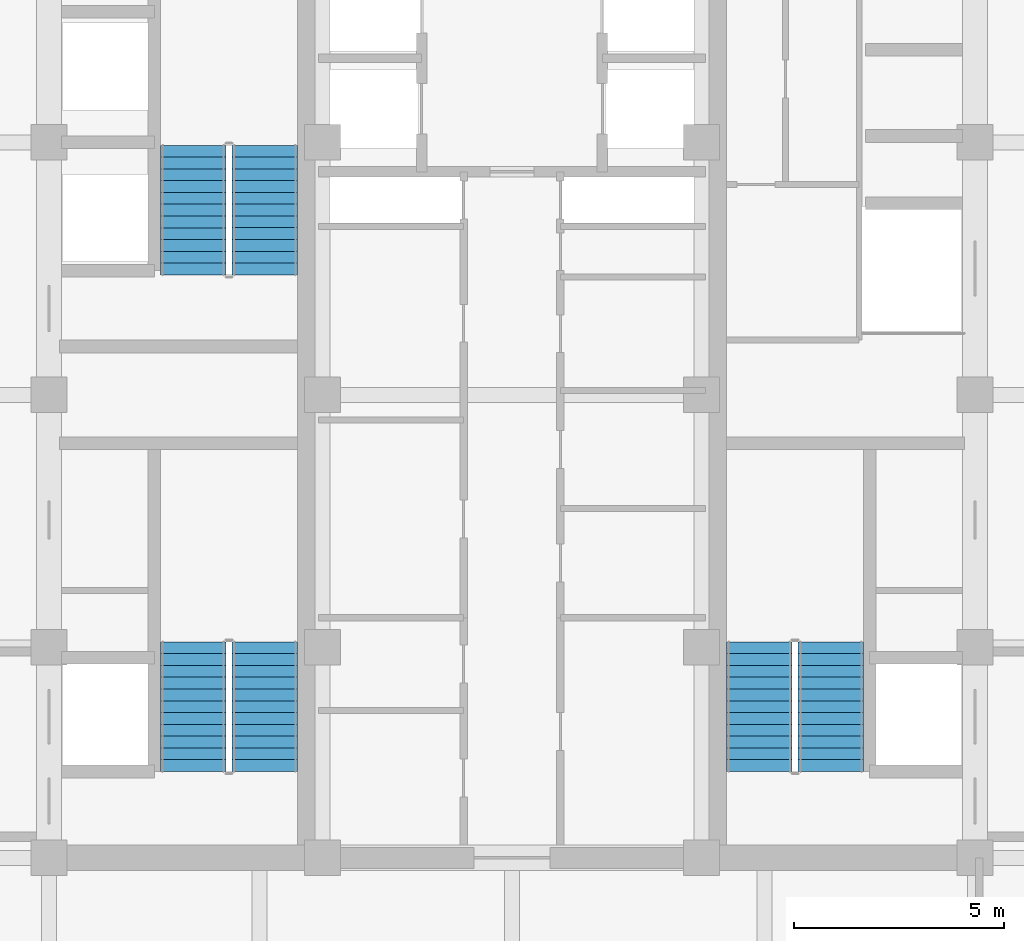
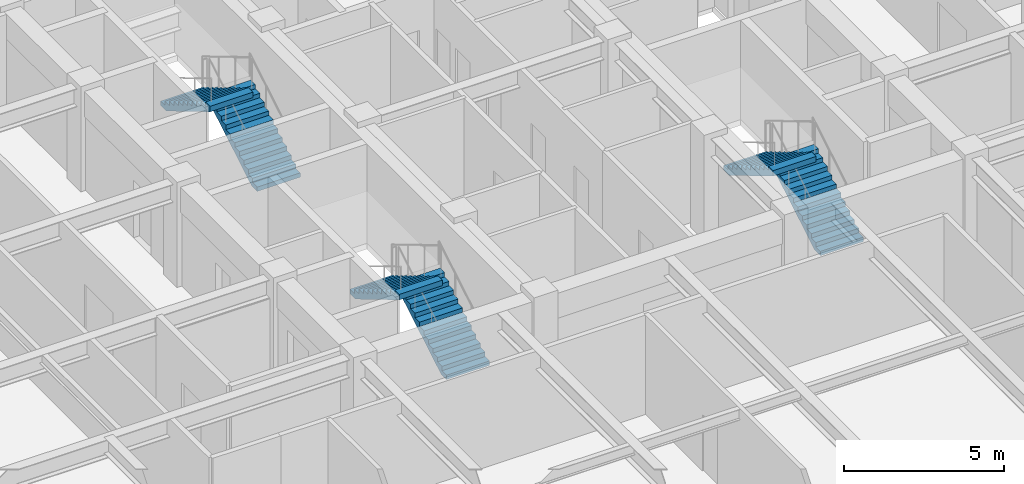
# One storey, part 24 of 25: 6 stair flights, 3 elements without a shape of their own.
"""IFC4 building model written with IfcOpenShell, lengths in metres."""

from ifc_helpers import new_model, si_unit, direction, frame, origin, place, context, subcontext, project, spatial, polyline, outline, extrude, source, transform, mapped, material, type_object, element, aggregate, save


model = new_model("IFC4")

# Units and contexts
model_context = context("Model", 3, precision=1e-05, world=origin(), true_north=direction((0.0, 1.0)))
body_context = subcontext(model_context, "Body", "Model", "MODEL_VIEW")
ifc_project = project(units=[si_unit("LENGTHUNIT", "METRE"), si_unit("AREAUNIT", "SQUARE_METRE"), si_unit("VOLUMEUNIT", "CUBIC_METRE"), si_unit("PLANEANGLEUNIT", "RADIAN"), si_unit("MASSUNIT", "GRAM", prefix="KILO")], contexts=[model_context])

# Site, building, storey
site_placement = place(None, origin())
site = spatial("IfcSite", under=ifc_project, at=site_placement, CompositionType="ELEMENT")
building_placement = place(site_placement, origin())
building = spatial("IfcBuilding", under=site, at=building_placement, Name="Khorayat Bourse Tower", CompositionType="ELEMENT")
storey_placement = place(building_placement, frame((0.0, 0.0, 251.10009765625)))
storey = spatial("IfcBuildingStorey", under=building, at=storey_placement, Name="L59", CompositionType="ELEMENT", Elevation=251.10009765625)

# Stair, stair flights
ifc_material = material(Name="Concrete C40/50", Category="concrete")
stair_type = type_object("IfcStairType", Name="STR-CORE-1550", PredefinedType="HALF_TURN_STAIR", material=ifc_material)
stair_1_placement = place(storey_placement, origin())
stair_1 = element("IfcStair", 1, at=stair_1_placement, inside=storey, type_object=stair_type, Name="L59 Exit Stair ST-1", PredefinedType="HALF_TURN_STAIR")
stair_flight_type = type_object("IfcStairFlightType", Name="FLT-CORE-1550", PredefinedType="STRAIGHT", material=ifc_material)
shared_shape = source(origin(), body_context, "Body", "SweptSolid", [
    extrude(outline(polyline([(0.0, 0.0), (0.0, 0.166748046875), (0.280029296875, 0.166748046875), (0.280029296875, 0.333251953125), (0.56005859375, 0.333251953125), (0.56005859375, 0.5), (0.840087890625, 0.5), (0.840087890625, 0.666748046875), (1.1201171875, 0.666748046875), (1.1201171875, 0.833251953125), (1.39990234375, 0.833251953125), (1.39990234375, 1.0), (1.679931640625, 1.0), (1.679931640625, 1.166748046875), (1.9599609375, 1.166748046875), (1.9599609375, 1.333251953125), (2.239990234375, 1.333251953125), (2.239990234375, 1.5), (2.52001953125, 1.5), (2.52001953125, 1.666748046875), (2.800048828125, 1.666748046875), (2.800048828125, 1.833251953125), (3.080078125, 1.833251953125), (3.080078125, 2.0), (3.080078125, 1.6240234375), (0.351806640625, 0.0), (0.0, 0.0)])), frame((0.0, 0.77490234375, 0.0), z_axis=(0.0, -1.0, 0.0), x_axis=(1.0, 0.0, 0.0)), (0.0, 0.0, 1.0), 1.550048828125),
])
stair_flight_1_placement = place(storey_placement, frame((-5.875, -8.949951171875, 0.0), z_axis=(0.0, 0.0, 1.0), x_axis=(0.0, 1.0, 0.0)))
stair_flight_1 = element("IfcStairFlight", 2, at=stair_flight_1_placement, type_object=stair_flight_type, Name="ST-1 flight 1", NumberOfRisers=12, NumberOfTreads=11, PredefinedType="STRAIGHT", RiserHeight=0.166666667, TreadLength=0.28, context=body_context, shape_type="MappedRepresentation", body=[
    mapped(shared_shape, transform((0.0, 0.0, 0.0), scale=1.0)),
])
stair_flight_2_placement = place(storey_placement, frame((-7.574951171875, -5.8701171875, 2.0), z_axis=(0.0, 0.0, 1.0), x_axis=(0.0, -1.0, 0.0)))
stair_flight_2 = element("IfcStairFlight", 3, at=stair_flight_2_placement, type_object=stair_flight_type, Name="ST-1 flight 2", NumberOfRisers=12, NumberOfTreads=11, PredefinedType="STRAIGHT", RiserHeight=0.166666667, TreadLength=0.28, context=body_context, shape_type="MappedRepresentation", body=[
    mapped(shared_shape, transform((0.0, 0.0, 0.0), scale=1.0)),
])
aggregate(stair_1, [stair_flight_1, stair_flight_2])

stair_2_placement = place(storey_placement, origin())
stair_2 = element("IfcStair", 4, at=stair_2_placement, inside=storey, type_object=stair_type, Name="L59 Exit Stair ST-2", PredefinedType="HALF_TURN_STAIR")
stair_flight_3_placement = place(storey_placement, frame((-5.875, 2.85009765625, 0.0), z_axis=(0.0, 0.0, 1.0), x_axis=(0.0, 1.0, 0.0)))
stair_flight_3 = element("IfcStairFlight", 5, at=stair_flight_3_placement, type_object=stair_flight_type, Name="ST-2 flight 1", NumberOfRisers=12, NumberOfTreads=11, PredefinedType="STRAIGHT", RiserHeight=0.166666667, TreadLength=0.28, context=body_context, shape_type="MappedRepresentation", body=[
    mapped(shared_shape, transform((0.0, 0.0, 0.0), scale=1.0)),
])
stair_flight_4_placement = place(storey_placement, frame((-7.574951171875, 5.929931640625, 2.0), z_axis=(0.0, 0.0, 1.0), x_axis=(0.0, -1.0, 0.0)))
stair_flight_4 = element("IfcStairFlight", 6, at=stair_flight_4_placement, type_object=stair_flight_type, Name="ST-2 flight 2", NumberOfRisers=12, NumberOfTreads=11, PredefinedType="STRAIGHT", RiserHeight=0.166666667, TreadLength=0.28, context=body_context, shape_type="MappedRepresentation", body=[
    mapped(shared_shape, transform((0.0, 0.0, 0.0), scale=1.0)),
])
aggregate(stair_2, [stair_flight_3, stair_flight_4])

stair_3_placement = place(storey_placement, origin())
stair_3 = element("IfcStair", 7, at=stair_3_placement, inside=storey, type_object=stair_type, Name="L59 Exit Stair ST-3", PredefinedType="HALF_TURN_STAIR")
stair_flight_5_placement = place(storey_placement, frame((7.574951171875, -8.949951171875, 0.0), z_axis=(0.0, 0.0, 1.0), x_axis=(0.0, 1.0, 0.0)))
stair_flight_5 = element("IfcStairFlight", 8, at=stair_flight_5_placement, type_object=stair_flight_type, Name="ST-3 flight 1", NumberOfRisers=12, NumberOfTreads=11, PredefinedType="STRAIGHT", RiserHeight=0.166666667, TreadLength=0.28, context=body_context, shape_type="MappedRepresentation", body=[
    mapped(shared_shape, transform((0.0, 0.0, 0.0), scale=1.0)),
])
stair_flight_6_placement = place(storey_placement, frame((5.875, -5.8701171875, 2.0), z_axis=(0.0, 0.0, 1.0), x_axis=(0.0, -1.0, 0.0)))
stair_flight_6 = element("IfcStairFlight", 9, at=stair_flight_6_placement, type_object=stair_flight_type, Name="ST-3 flight 2", NumberOfRisers=12, NumberOfTreads=11, PredefinedType="STRAIGHT", RiserHeight=0.166666667, TreadLength=0.28, context=body_context, shape_type="MappedRepresentation", body=[
    mapped(shared_shape, transform((0.0, 0.0, 0.0), scale=1.0)),
])
aggregate(stair_3, [stair_flight_5, stair_flight_6])

save(model, "model.ifc")
